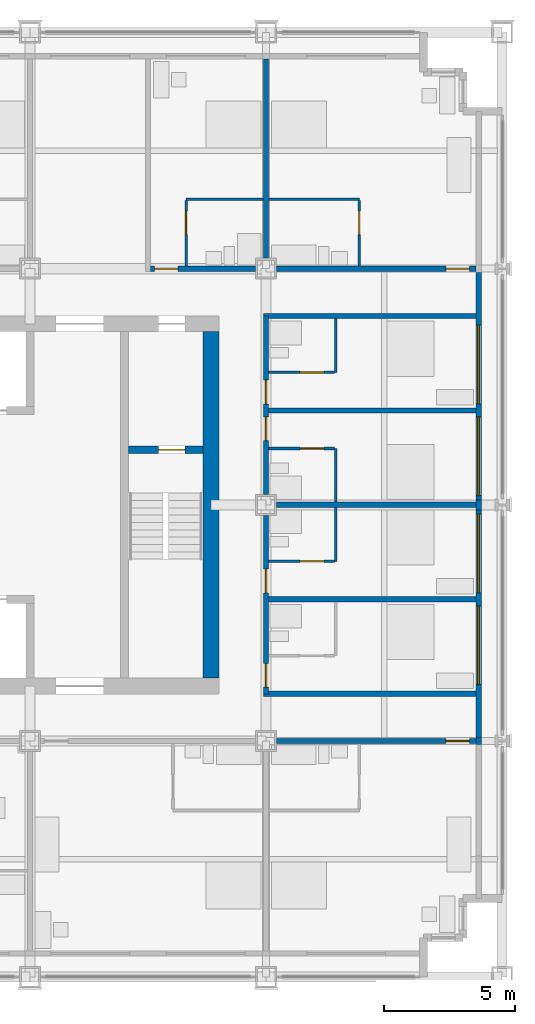
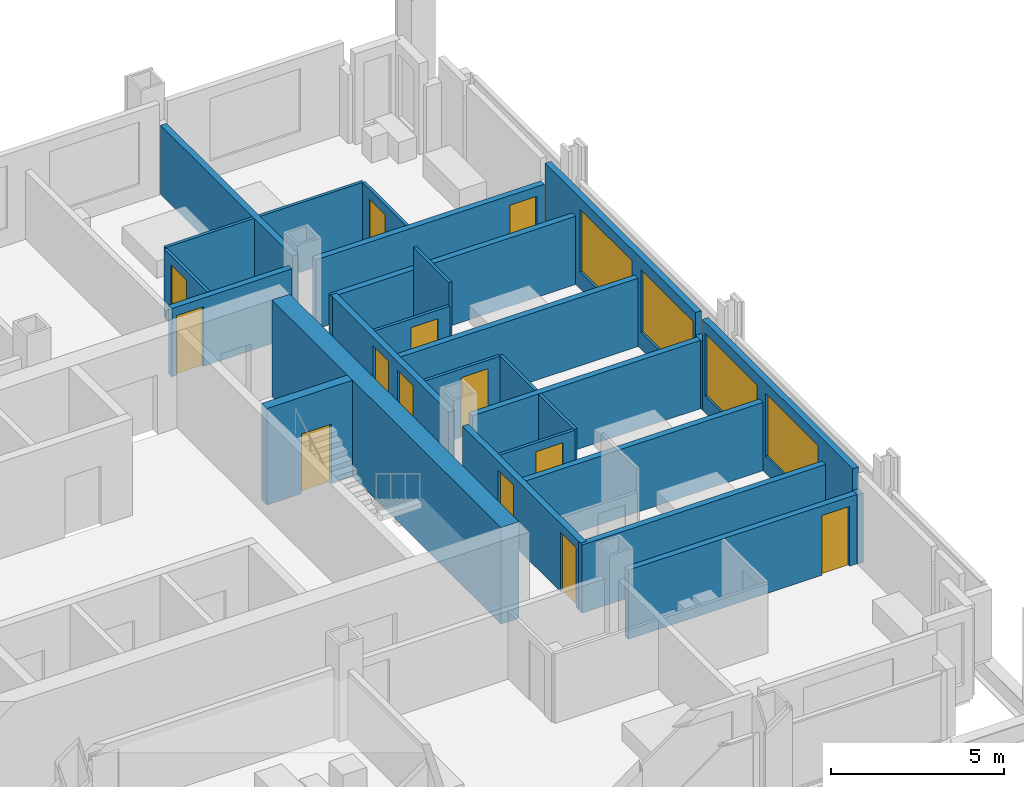
# One storey, part 12 of 16: 27 walls, 13 doors, 4 windows, 17 openings.
"""IFC4 building model written with IfcOpenShell, lengths in metres."""

from ifc_helpers import new_model, si_unit, direction, frame, frame_2d, origin, place, context, subcontext, project, spatial, rectangle, extrude, material, layer, layer_set, type_object, element, fill, save


model = new_model("IFC4")

# Units and contexts
model_context = context("Model", 3, precision=1e-05, world=origin(), true_north=direction((0.0, 1.0)))
body_context = subcontext(model_context, "Body", "Model", "MODEL_VIEW")
ifc_project = project(units=[si_unit("LENGTHUNIT", "METRE"), si_unit("AREAUNIT", "SQUARE_METRE"), si_unit("VOLUMEUNIT", "CUBIC_METRE"), si_unit("PLANEANGLEUNIT", "RADIAN"), si_unit("MASSUNIT", "GRAM", prefix="KILO")], contexts=[model_context])

# Site, building, storey
site_placement = place(None, origin())
site = spatial("IfcSite", under=ifc_project, at=site_placement, CompositionType="ELEMENT")
building_placement = place(site_placement, origin())
building = spatial("IfcBuilding", under=site, at=building_placement, Name="Loomwork Tower", CompositionType="ELEMENT")
storey_placement = place(building_placement, frame((0.0, 0.0, 111.199951171875)))
storey = spatial("IfcBuildingStorey", under=building, at=storey_placement, Name="L29", CompositionType="ELEMENT", Elevation=111.199951171875)

# Wall, opening, door
ifc_material_1 = material(Name="Concrete 14000 psi (97 MPa)", Category="concrete")
ifc_layer_1 = layer(ifc_material_1, 0.300048828125)
ifc_layer_set_1 = layer_set([ifc_layer_1], Name="Core shear wall 300")
wall_type_1 = type_object("IfcWallType", Name="Core shear wall 300", PredefinedType="SHEAR", material=ifc_layer_set_1)
wall_1_placement = place(storey_placement, frame((30.75, 20.10009765625, 0.0), z_axis=(0.0, 0.0, 1.0), x_axis=(1.0, 0.0, 0.0)))
wall_1 = element("IfcWall", 1, at=wall_1_placement, inside=storey, type_object=wall_type_1, Name="Stair B north wall L29", PredefinedType="SHEAR", context=body_context, shape_type="SweptSolid", body=[
    extrude(rectangle(XDim=2.85009765625, YDim=0.300048828125, at=frame_2d((1.425048828125, 0.0))), origin(), (0.0, 0.0, 1.0), 3.400146484375),
])
opening_1_placement = place(wall_1_placement, frame((1.14990234375, 0.0, 0.0)))
opening_1 = element("IfcOpeningElement", 2, at=opening_1_placement, cuts=wall_1, Name="Opening D4", PredefinedType="OPENING", context=body_context, shape_type="SweptSolid", body=[
    extrude(rectangle(XDim=1.0, YDim=2.10009765625, at=frame_2d((0.5, 1.050048828125))), frame((0.0, 0.159912109375, 0.0), z_axis=(0.0, -1.0, 0.0), x_axis=(1.0, 0.0, 0.0)), (0.0, 0.0, 1.0), 0.320068359375),
])
ifc_material_2 = material(Name="Hollow metal door and frame")
door_type_1 = type_object("IfcDoorType", Name="Stair door 1000", OperationType="SINGLE_SWING_RIGHT", PredefinedType="DOOR", material=ifc_material_2)
door_1_placement = place(opening_1_placement, frame((1.0, 0.0, 0.0), z_axis=(0.0, 0.0, 1.0), x_axis=(-1.0, 0.0, 0.0)))
door_1 = element("IfcDoor", 3, at=door_1_placement, inside=storey, type_object=door_type_1, Name="Stair B door", OperationType="SINGLE_SWING_LEFT", OverallHeight=2.10009765625, OverallWidth=1.0, PredefinedType="DOOR", context=body_context, shape_type="SweptSolid", body=[
    extrude(rectangle(XDim=1.0, YDim=2.10009765625, at=frame_2d((0.5, 1.050048828125))), frame((0.0, 0.02490234375, 0.0), z_axis=(0.0, -1.0, 0.0), x_axis=(1.0, 0.0, 0.0)), (0.0, 0.0, 1.0), 0.050048828125),
])
fill(opening_1, door_1)

# Wall
ifc_material_3 = material(Name="Concrete 14000 psi (97 MPa)", Category="concrete")
ifc_layer_2 = layer(ifc_material_3, 0.60009765625)
ifc_layer_set_2 = layer_set([ifc_layer_2], Name="Core shear wall 600")
wall_type_2 = type_object("IfcWallType", Name="Core shear wall 600", PredefinedType="SHEAR", material=ifc_layer_set_2)
wall_2_placement = place(storey_placement, frame((33.89990234375, 11.39990234375, 0.0), z_axis=(0.0, 0.0, 1.0), x_axis=(0.0, 1.0, 0.0)))
element("IfcWall", 4, at=wall_2_placement, inside=storey, type_object=wall_type_2, Name="Core wall east L29", PredefinedType="SHEAR", context=body_context, shape_type="SweptSolid", body=[
    extrude(rectangle(XDim=13.2001953125, YDim=0.60009765625, at=frame_2d((6.60009765625, 0.0))), origin(), (0.0, 0.0, 1.0), 3.400146484375),
])

# Wall, opening, door
ifc_material_4 = material(Name="Gypsum board on steel studs, one-hour", Category="steel")
ifc_layer_3 = layer(ifc_material_4, 0.199951171875)
ifc_layer_set_3 = layer_set([ifc_layer_3], Name="Corridor wall 200")
wall_type_3 = type_object("IfcWallType", Name="Corridor wall 200", PredefinedType="PARTITIONING", material=ifc_layer_set_3)
wall_3_placement = place(storey_placement, frame((36.39990234375, 9.0, 0.0), z_axis=(0.0, 0.0, 1.0), x_axis=(1.0, 0.0, 0.0)))
wall_3 = element("IfcWall", 5, at=wall_3_placement, inside=storey, type_object=wall_type_3, Name="South corridor wall 5", PredefinedType="PARTITIONING", context=body_context, shape_type="SweptSolid", body=[
    extrude(rectangle(XDim=7.60009765625, YDim=0.199951171875, at=frame_2d((3.800048828125, 0.0))), origin(), (0.0, 0.0, 1.0), 2.43798828125),
])
opening_2_placement = place(wall_3_placement, frame((6.449951171875, 0.0, 0.0)))
opening_2 = element("IfcOpeningElement", 6, at=opening_2_placement, cuts=wall_3, Name="Opening D1", PredefinedType="OPENING", context=body_context, shape_type="SweptSolid", body=[
    extrude(rectangle(XDim=0.89990234375, YDim=2.10009765625, at=frame_2d((0.449951171875, 1.050048828125))), frame((0.0, 0.10986328125, 0.0), z_axis=(0.0, -1.0, 0.0), x_axis=(1.0, 0.0, 0.0)), (0.0, 0.0, 1.0), 0.219970703125),
])
ifc_material_5 = material(Name="Hollow metal door and frame")
door_type_2 = type_object("IfcDoorType", Name="Guest room entry door 900", OperationType="SINGLE_SWING_LEFT", PredefinedType="DOOR", material=ifc_material_5)
door_2_placement = place(opening_2_placement, frame((0.89990234375, 0.0, 0.0), z_axis=(0.0, 0.0, 1.0), x_axis=(-1.0, 0.0, 0.0)))
door_2 = element("IfcDoor", 7, at=door_2_placement, inside=storey, type_object=door_type_2, Name="Guest room entry door L29 5", OperationType="SINGLE_SWING_LEFT", OverallHeight=2.10009765625, OverallWidth=0.89990234375, PredefinedType="DOOR", context=body_context, shape_type="SweptSolid", body=[
    extrude(rectangle(XDim=0.89990234375, YDim=2.10009765625, at=frame_2d((0.449951171875, 1.050048828125))), frame((0.0, 0.02490234375, 0.0), z_axis=(0.0, -1.0, 0.0), x_axis=(1.0, 0.0, 0.0)), (0.0, 0.0, 1.0), 0.050048828125),
])
fill(opening_2, door_2)

wall_4_placement = place(storey_placement, frame((31.60009765625, 27.0, 0.0), z_axis=(0.0, 0.0, 1.0), x_axis=(1.0, 0.0, 0.0)))
wall_4 = element("IfcWall", 8, at=wall_4_placement, inside=storey, type_object=wall_type_3, Name="North corridor wall 4", PredefinedType="PARTITIONING", context=body_context, shape_type="SweptSolid", body=[
    extrude(rectangle(XDim=4.0, YDim=0.199951171875, at=frame_2d((2.0, 0.0))), origin(), (0.0, 0.0, 1.0), 2.405029296875),
])
opening_3_placement = place(wall_4_placement, frame((0.14990234375, 0.0, 0.0)))
opening_3 = element("IfcOpeningElement", 9, at=opening_3_placement, cuts=wall_4, Name="Opening D1", PredefinedType="OPENING", context=body_context, shape_type="SweptSolid", body=[
    extrude(rectangle(XDim=0.89990234375, YDim=2.10009765625, at=frame_2d((0.449951171875, 1.050048828125))), frame((0.0, 0.10986328125, 0.0), z_axis=(0.0, -1.0, 0.0), x_axis=(1.0, 0.0, 0.0)), (0.0, 0.0, 1.0), 0.219970703125),
])
door_3_placement = place(opening_3_placement, origin())
door_3 = element("IfcDoor", 10, at=door_3_placement, inside=storey, type_object=door_type_2, Name="Guest room entry door L29 9", OperationType="SINGLE_SWING_LEFT", OverallHeight=2.10009765625, OverallWidth=0.89990234375, PredefinedType="DOOR", context=body_context, shape_type="SweptSolid", body=[
    extrude(rectangle(XDim=0.89990234375, YDim=2.10009765625, at=frame_2d((0.449951171875, 1.050048828125))), frame((0.0, 0.02490234375, 0.0), z_axis=(0.0, -1.0, 0.0), x_axis=(1.0, 0.0, 0.0)), (0.0, 0.0, 1.0), 0.050048828125),
])
fill(opening_3, door_3)

wall_5_placement = place(storey_placement, frame((36.39990234375, 27.0, 0.0), z_axis=(0.0, 0.0, 1.0), x_axis=(1.0, 0.0, 0.0)))
wall_5 = element("IfcWall", 11, at=wall_5_placement, inside=storey, type_object=wall_type_3, Name="North corridor wall 5", PredefinedType="PARTITIONING", context=body_context, shape_type="SweptSolid", body=[
    extrude(rectangle(XDim=7.60009765625, YDim=0.199951171875, at=frame_2d((3.800048828125, 0.0))), origin(), (0.0, 0.0, 1.0), 2.43798828125),
])
opening_4_placement = place(wall_5_placement, frame((6.449951171875, 0.0, 0.0)))
opening_4 = element("IfcOpeningElement", 12, at=opening_4_placement, cuts=wall_5, Name="Opening D1", PredefinedType="OPENING", context=body_context, shape_type="SweptSolid", body=[
    extrude(rectangle(XDim=0.89990234375, YDim=2.10009765625, at=frame_2d((0.449951171875, 1.050048828125))), frame((0.0, 0.10986328125, 0.0), z_axis=(0.0, -1.0, 0.0), x_axis=(1.0, 0.0, 0.0)), (0.0, 0.0, 1.0), 0.219970703125),
])
door_4_placement = place(opening_4_placement, origin())
door_4 = element("IfcDoor", 13, at=door_4_placement, inside=storey, type_object=door_type_2, Name="Guest room entry door L29 10", OperationType="SINGLE_SWING_RIGHT", OverallHeight=2.10009765625, OverallWidth=0.89990234375, PredefinedType="DOOR", context=body_context, shape_type="SweptSolid", body=[
    extrude(rectangle(XDim=0.89990234375, YDim=2.10009765625, at=frame_2d((0.449951171875, 1.050048828125))), frame((0.0, 0.02490234375, 0.0), z_axis=(0.0, -1.0, 0.0), x_axis=(1.0, 0.0, 0.0)), (0.0, 0.0, 1.0), 0.050048828125),
])
fill(opening_4, door_4)

# Wall, openings, doors
wall_6_placement = place(storey_placement, frame((36.0, 10.800048828125, 0.0), z_axis=(0.0, 0.0, 1.0), x_axis=(0.0, 1.0, 0.0)))
wall_6 = element("IfcWall", 14, at=wall_6_placement, inside=storey, type_object=wall_type_3, Name="East corridor wall 1", PredefinedType="PARTITIONING", context=body_context, shape_type="SweptSolid", body=[
    extrude(rectangle(XDim=6.800048828125, YDim=0.199951171875, at=frame_2d((3.39990234375, 0.0))), origin(), (0.0, 0.0, 1.0), 2.405029296875),
])
opening_5_placement = place(wall_6_placement, frame((0.25, 0.0, 0.0)))
opening_5 = element("IfcOpeningElement", 15, at=opening_5_placement, cuts=wall_6, Name="Opening D1", PredefinedType="OPENING", context=body_context, shape_type="SweptSolid", body=[
    extrude(rectangle(XDim=0.89990234375, YDim=2.10009765625, at=frame_2d((0.449951171875, 1.050048828125))), frame((0.0, 0.10986328125, 0.0), z_axis=(0.0, -1.0, 0.0), x_axis=(1.0, 0.0, 0.0)), (0.0, 0.0, 1.0), 0.219970703125),
])
opening_6_placement = place(wall_6_placement, frame((3.85009765625, 0.0, 0.0)))
opening_6 = element("IfcOpeningElement", 16, at=opening_6_placement, cuts=wall_6, Name="Opening D1", PredefinedType="OPENING", context=body_context, shape_type="SweptSolid", body=[
    extrude(rectangle(XDim=0.89990234375, YDim=2.10009765625, at=frame_2d((0.449951171875, 1.050048828125))), frame((0.0, 0.10986328125, 0.0), z_axis=(0.0, -1.0, 0.0), x_axis=(1.0, 0.0, 0.0)), (0.0, 0.0, 1.0), 0.219970703125),
])
door_5_placement = place(opening_5_placement, frame((0.89990234375, 0.0, 0.0), z_axis=(0.0, 0.0, 1.0), x_axis=(-1.0, 0.0, 0.0)))
door_5 = element("IfcDoor", 17, at=door_5_placement, inside=storey, type_object=door_type_2, Name="Guest room entry door L29 15", OperationType="SINGLE_SWING_RIGHT", OverallHeight=2.10009765625, OverallWidth=0.89990234375, PredefinedType="DOOR", context=body_context, shape_type="SweptSolid", body=[
    extrude(rectangle(XDim=0.89990234375, YDim=2.10009765625, at=frame_2d((0.449951171875, 1.050048828125))), frame((0.0, 0.02490234375, 0.0), z_axis=(0.0, -1.0, 0.0), x_axis=(1.0, 0.0, 0.0)), (0.0, 0.0, 1.0), 0.050048828125),
])
fill(opening_5, door_5)
door_6_placement = place(opening_6_placement, frame((0.89990234375, 0.0, 0.0), z_axis=(0.0, 0.0, 1.0), x_axis=(-1.0, 0.0, 0.0)))
door_6 = element("IfcDoor", 18, at=door_6_placement, inside=storey, type_object=door_type_2, Name="Guest room entry door L29 16", OperationType="SINGLE_SWING_RIGHT", OverallHeight=2.10009765625, OverallWidth=0.89990234375, PredefinedType="DOOR", context=body_context, shape_type="SweptSolid", body=[
    extrude(rectangle(XDim=0.89990234375, YDim=2.10009765625, at=frame_2d((0.449951171875, 1.050048828125))), frame((0.0, 0.02490234375, 0.0), z_axis=(0.0, -1.0, 0.0), x_axis=(1.0, 0.0, 0.0)), (0.0, 0.0, 1.0), 0.050048828125),
])
fill(opening_6, door_6)

wall_7_placement = place(storey_placement, frame((36.0, 18.39990234375, 0.0), z_axis=(0.0, 0.0, 1.0), x_axis=(0.0, 1.0, 0.0)))
wall_7 = element("IfcWall", 19, at=wall_7_placement, inside=storey, type_object=wall_type_3, Name="East corridor wall 2", PredefinedType="PARTITIONING", context=body_context, shape_type="SweptSolid", body=[
    extrude(rectangle(XDim=6.800048828125, YDim=0.199951171875, at=frame_2d((3.39990234375, 0.0))), origin(), (0.0, 0.0, 1.0), 2.405029296875),
])
opening_7_placement = place(wall_7_placement, frame((2.050048828125, 0.0, 0.0)))
opening_7 = element("IfcOpeningElement", 20, at=opening_7_placement, cuts=wall_7, Name="Opening D1", PredefinedType="OPENING", context=body_context, shape_type="SweptSolid", body=[
    extrude(rectangle(XDim=0.89990234375, YDim=2.10009765625, at=frame_2d((0.449951171875, 1.050048828125))), frame((0.0, 0.10986328125, 0.0), z_axis=(0.0, -1.0, 0.0), x_axis=(1.0, 0.0, 0.0)), (0.0, 0.0, 1.0), 0.219970703125),
])
opening_8_placement = place(wall_7_placement, frame((3.449951171875, 0.0, 0.0)))
opening_8 = element("IfcOpeningElement", 21, at=opening_8_placement, cuts=wall_7, Name="Opening D1", PredefinedType="OPENING", context=body_context, shape_type="SweptSolid", body=[
    extrude(rectangle(XDim=0.89990234375, YDim=2.10009765625, at=frame_2d((0.449951171875, 1.050048828125))), frame((0.0, 0.10986328125, 0.0), z_axis=(0.0, -1.0, 0.0), x_axis=(1.0, 0.0, 0.0)), (0.0, 0.0, 1.0), 0.219970703125),
])
door_7_placement = place(opening_7_placement, frame((0.89990234375, 0.0, 0.0), z_axis=(0.0, 0.0, 1.0), x_axis=(-1.0, 0.0, 0.0)))
door_7 = element("IfcDoor", 22, at=door_7_placement, inside=storey, type_object=door_type_2, Name="Guest room entry door L29 17", OperationType="SINGLE_SWING_LEFT", OverallHeight=2.10009765625, OverallWidth=0.89990234375, PredefinedType="DOOR", context=body_context, shape_type="SweptSolid", body=[
    extrude(rectangle(XDim=0.89990234375, YDim=2.10009765625, at=frame_2d((0.449951171875, 1.050048828125))), frame((0.0, 0.02490234375, 0.0), z_axis=(0.0, -1.0, 0.0), x_axis=(1.0, 0.0, 0.0)), (0.0, 0.0, 1.0), 0.050048828125),
])
fill(opening_7, door_7)
door_8_placement = place(opening_8_placement, frame((0.89990234375, 0.0, 0.0), z_axis=(0.0, 0.0, 1.0), x_axis=(-1.0, 0.0, 0.0)))
door_8 = element("IfcDoor", 23, at=door_8_placement, inside=storey, type_object=door_type_2, Name="Guest room entry door L29 18", OperationType="SINGLE_SWING_RIGHT", OverallHeight=2.10009765625, OverallWidth=0.89990234375, PredefinedType="DOOR", context=body_context, shape_type="SweptSolid", body=[
    extrude(rectangle(XDim=0.89990234375, YDim=2.10009765625, at=frame_2d((0.449951171875, 1.050048828125))), frame((0.0, 0.02490234375, 0.0), z_axis=(0.0, -1.0, 0.0), x_axis=(1.0, 0.0, 0.0)), (0.0, 0.0, 1.0), 0.050048828125),
])
fill(opening_8, door_8)

# Walls
for number, where, z_axis, x_axis, name in (
    (24, (35.89990234375, 10.800048828125, 0.0), (0.0, 0.0, 1.0), (1.0, 0.0, 0.0), "East band end wall S"),
    (25, (35.89990234375, 25.199951171875, 0.0), (0.0, 0.0, 1.0), (1.0, 0.0, 0.0), "East band end wall N"),
):
    element("IfcWall", number, at=place(storey_placement, frame(where, z_axis=z_axis, x_axis=x_axis)), inside=storey, type_object=wall_type_3, Name=name, PredefinedType="PARTITIONING", context=body_context, shape_type="SweptSolid", body=[
        extrude(rectangle(XDim=8.10009765625, YDim=0.199951171875, at=frame_2d((4.050048828125, 0.0))), origin(), (0.0, 0.0, 1.0), 2.404052734375),
    ])
ifc_material_6 = material(Name="Cement board on steel studs", Category="steel")
ifc_layer_4 = layer(ifc_material_6, 0.10009765625)
ifc_layer_set_4 = layer_set([ifc_layer_4], Name="En-suite partition 100")
wall_type_4 = type_object("IfcWallType", Name="En-suite partition 100", PredefinedType="PARTITIONING", material=ifc_layer_set_4)
wall_8_placement = place(storey_placement, frame((32.949951171875, 29.64990234375, 0.0), z_axis=(0.0, 0.0, 1.0), x_axis=(1.0, 0.0, 0.0)))
element("IfcWall", 26, at=wall_8_placement, inside=storey, type_object=wall_type_4, Name="En-suite wall L29 room 9", PredefinedType="PARTITIONING", context=body_context, shape_type="SweptSolid", body=[
    extrude(rectangle(XDim=2.949951171875, YDim=0.10009765625, at=frame_2d((1.47509765625, 0.0))), origin(), (0.0, 0.0, 1.0), 2.43798828125),
])

# Wall, opening, door
wall_9_placement = place(storey_placement, frame((32.949951171875, 27.10009765625, 0.0), z_axis=(0.0, 0.0, 1.0), x_axis=(0.0, 1.0, 0.0)))
wall_9 = element("IfcWall", 27, at=wall_9_placement, inside=storey, type_object=wall_type_4, Name="En-suite side wall L29 room 9", PredefinedType="PARTITIONING", context=body_context, shape_type="SweptSolid", body=[
    extrude(rectangle(XDim=2.5, YDim=0.10009765625, at=frame_2d((1.25, 0.0))), origin(), (0.0, 0.0, 1.0), 2.404052734375),
])
opening_9_placement = place(wall_9_placement, frame((1.199951171875, 0.0, 0.0)))
opening_9 = element("IfcOpeningElement", 28, at=opening_9_placement, cuts=wall_9, Name="Opening D2", PredefinedType="OPENING", context=body_context, shape_type="SweptSolid", body=[
    extrude(rectangle(XDim=0.89990234375, YDim=2.10009765625, at=frame_2d((0.449951171875, 1.050048828125))), frame((0.0, 0.06005859375, 0.0), z_axis=(0.0, -1.0, 0.0), x_axis=(1.0, 0.0, 0.0)), (0.0, 0.0, 1.0), 0.1201171875),
])
ifc_material_7 = material(Name="Hollow metal door and frame")
door_type_3 = type_object("IfcDoorType", Name="En-suite door 900", OperationType="SINGLE_SWING_LEFT", PredefinedType="DOOR", material=ifc_material_7)
door_9_placement = place(opening_9_placement, frame((0.89990234375, 0.0, 0.0), z_axis=(0.0, 0.0, 1.0), x_axis=(-1.0, 0.0, 0.0)))
door_9 = element("IfcDoor", 29, at=door_9_placement, inside=storey, type_object=door_type_3, Name="En-suite door room 9", OperationType="SINGLE_SWING_LEFT", OverallHeight=2.10009765625, OverallWidth=0.89990234375, PredefinedType="DOOR", context=body_context, shape_type="SweptSolid", body=[
    extrude(rectangle(XDim=0.89990234375, YDim=2.10009765625, at=frame_2d((0.449951171875, 1.050048828125))), frame((0.0, 0.02490234375, 0.0), z_axis=(0.0, -1.0, 0.0), x_axis=(1.0, 0.0, 0.0)), (0.0, 0.0, 1.0), 0.050048828125),
])
fill(opening_9, door_9)

# Wall
wall_10_placement = place(storey_placement, frame((36.10009765625, 29.64990234375, 0.0), z_axis=(0.0, 0.0, 1.0), x_axis=(1.0, 0.0, 0.0)))
element("IfcWall", 30, at=wall_10_placement, inside=storey, type_object=wall_type_4, Name="En-suite wall L29 room 10", PredefinedType="PARTITIONING", context=body_context, shape_type="SweptSolid", body=[
    extrude(rectangle(XDim=3.449951171875, YDim=0.10009765625, at=frame_2d((1.72509765625, 0.0))), origin(), (0.0, 0.0, 1.0), 2.43798828125),
])

# Wall, opening, door
wall_11_placement = place(storey_placement, frame((39.550048828125, 27.10009765625, 0.0), z_axis=(0.0, 0.0, 1.0), x_axis=(0.0, 1.0, 0.0)))
wall_11 = element("IfcWall", 31, at=wall_11_placement, inside=storey, type_object=wall_type_4, Name="En-suite side wall L29 room 10", PredefinedType="PARTITIONING", context=body_context, shape_type="SweptSolid", body=[
    extrude(rectangle(XDim=2.5, YDim=0.10009765625, at=frame_2d((1.25, 0.0))), origin(), (0.0, 0.0, 1.0), 2.43798828125),
])
opening_10_placement = place(wall_11_placement, frame((1.199951171875, 0.0, 0.0)))
opening_10 = element("IfcOpeningElement", 32, at=opening_10_placement, cuts=wall_11, Name="Opening D2", PredefinedType="OPENING", context=body_context, shape_type="SweptSolid", body=[
    extrude(rectangle(XDim=0.89990234375, YDim=2.10009765625, at=frame_2d((0.449951171875, 1.050048828125))), frame((0.0, 0.06005859375, 0.0), z_axis=(0.0, -1.0, 0.0), x_axis=(1.0, 0.0, 0.0)), (0.0, 0.0, 1.0), 0.1201171875),
])
door_10_placement = place(opening_10_placement, origin())
door_10 = element("IfcDoor", 33, at=door_10_placement, inside=storey, type_object=door_type_3, Name="En-suite door room 10", OperationType="SINGLE_SWING_RIGHT", OverallHeight=2.10009765625, OverallWidth=0.89990234375, PredefinedType="DOOR", context=body_context, shape_type="SweptSolid", body=[
    extrude(rectangle(XDim=0.89990234375, YDim=2.10009765625, at=frame_2d((0.449951171875, 1.050048828125))), frame((0.0, 0.02490234375, 0.0), z_axis=(0.0, -1.0, 0.0), x_axis=(1.0, 0.0, 0.0)), (0.0, 0.0, 1.0), 0.050048828125),
])
fill(opening_10, door_10)

# Wall
wall_12_placement = place(storey_placement, frame((38.64990234375, 15.85009765625, 0.0), z_axis=(0.0, 0.0, 1.0), x_axis=(0.0, 1.0, 0.0)))
element("IfcWall", 34, at=wall_12_placement, inside=storey, type_object=wall_type_4, Name="En-suite wall L29 room 16", PredefinedType="PARTITIONING", context=body_context, shape_type="SweptSolid", body=[
    extrude(rectangle(XDim=2.0498046875, YDim=0.10009765625, at=frame_2d((1.02490234375, 0.0))), origin(), (0.0, 0.0, 1.0), 2.404052734375),
])

# Wall, opening, door
wall_13_placement = place(storey_placement, frame((36.10009765625, 15.85009765625, 0.0), z_axis=(0.0, 0.0, 1.0), x_axis=(1.0, 0.0, 0.0)))
wall_13 = element("IfcWall", 35, at=wall_13_placement, inside=storey, type_object=wall_type_4, Name="En-suite side wall L29 room 16", PredefinedType="PARTITIONING", context=body_context, shape_type="SweptSolid", body=[
    extrude(rectangle(XDim=2.5, YDim=0.10009765625, at=frame_2d((1.25, 0.0))), origin(), (0.0, 0.0, 1.0), 2.404052734375),
])
opening_11_placement = place(wall_13_placement, frame((1.199951171875, 0.0, 0.0)))
opening_11 = element("IfcOpeningElement", 36, at=opening_11_placement, cuts=wall_13, Name="Opening D2", PredefinedType="OPENING", context=body_context, shape_type="SweptSolid", body=[
    extrude(rectangle(XDim=0.89990234375, YDim=2.10009765625, at=frame_2d((0.449951171875, 1.050048828125))), frame((0.0, 0.06005859375, 0.0), z_axis=(0.0, -1.0, 0.0), x_axis=(1.0, 0.0, 0.0)), (0.0, 0.0, 1.0), 0.1201171875),
])
door_11_placement = place(opening_11_placement, origin())
door_11 = element("IfcDoor", 37, at=door_11_placement, inside=storey, type_object=door_type_3, Name="En-suite door room 16", OperationType="SINGLE_SWING_RIGHT", OverallHeight=2.10009765625, OverallWidth=0.89990234375, PredefinedType="DOOR", context=body_context, shape_type="SweptSolid", body=[
    extrude(rectangle(XDim=0.89990234375, YDim=2.10009765625, at=frame_2d((0.449951171875, 1.050048828125))), frame((0.0, 0.02490234375, 0.0), z_axis=(0.0, -1.0, 0.0), x_axis=(1.0, 0.0, 0.0)), (0.0, 0.0, 1.0), 0.050048828125),
])
fill(opening_11, door_11)

# Wall
wall_14_placement = place(storey_placement, frame((38.64990234375, 18.10009765625, 0.0), z_axis=(0.0, 0.0, 1.0), x_axis=(0.0, 1.0, 0.0)))
element("IfcWall", 38, at=wall_14_placement, inside=storey, type_object=wall_type_4, Name="En-suite wall L29 room 17", PredefinedType="PARTITIONING", context=body_context, shape_type="SweptSolid", body=[
    extrude(rectangle(XDim=2.0498046875, YDim=0.10009765625, at=frame_2d((1.02490234375, 0.0))), origin(), (0.0, 0.0, 1.0), 2.404052734375),
])

# Wall, opening, door
wall_15_placement = place(storey_placement, frame((36.10009765625, 20.14990234375, 0.0), z_axis=(0.0, 0.0, 1.0), x_axis=(1.0, 0.0, 0.0)))
wall_15 = element("IfcWall", 39, at=wall_15_placement, inside=storey, type_object=wall_type_4, Name="En-suite side wall L29 room 17", PredefinedType="PARTITIONING", context=body_context, shape_type="SweptSolid", body=[
    extrude(rectangle(XDim=2.5, YDim=0.10009765625, at=frame_2d((1.25, 0.0))), origin(), (0.0, 0.0, 1.0), 2.404052734375),
])
opening_12_placement = place(wall_15_placement, frame((1.199951171875, 0.0, 0.0)))
opening_12 = element("IfcOpeningElement", 40, at=opening_12_placement, cuts=wall_15, Name="Opening D2", PredefinedType="OPENING", context=body_context, shape_type="SweptSolid", body=[
    extrude(rectangle(XDim=0.89990234375, YDim=2.10009765625, at=frame_2d((0.449951171875, 1.050048828125))), frame((0.0, 0.06005859375, 0.0), z_axis=(0.0, -1.0, 0.0), x_axis=(1.0, 0.0, 0.0)), (0.0, 0.0, 1.0), 0.1201171875),
])
door_12_placement = place(opening_12_placement, frame((0.89990234375, 0.0, 0.0), z_axis=(0.0, 0.0, 1.0), x_axis=(-1.0, 0.0, 0.0)))
door_12 = element("IfcDoor", 41, at=door_12_placement, inside=storey, type_object=door_type_3, Name="En-suite door room 17", OperationType="SINGLE_SWING_LEFT", OverallHeight=2.10009765625, OverallWidth=0.89990234375, PredefinedType="DOOR", context=body_context, shape_type="SweptSolid", body=[
    extrude(rectangle(XDim=0.89990234375, YDim=2.10009765625, at=frame_2d((0.449951171875, 1.050048828125))), frame((0.0, 0.02490234375, 0.0), z_axis=(0.0, -1.0, 0.0), x_axis=(1.0, 0.0, 0.0)), (0.0, 0.0, 1.0), 0.050048828125),
])
fill(opening_12, door_12)

# Wall
wall_16_placement = place(storey_placement, frame((38.64990234375, 23.050048828125, 0.0), z_axis=(0.0, 0.0, 1.0), x_axis=(0.0, 1.0, 0.0)))
element("IfcWall", 42, at=wall_16_placement, inside=storey, type_object=wall_type_4, Name="En-suite wall L29 room 18", PredefinedType="PARTITIONING", context=body_context, shape_type="SweptSolid", body=[
    extrude(rectangle(XDim=2.050048828125, YDim=0.10009765625, at=frame_2d((1.02490234375, 0.0))), origin(), (0.0, 0.0, 1.0), 3.199951171875),
])

# Wall, opening, door
wall_17_placement = place(storey_placement, frame((36.10009765625, 23.050048828125, 0.0), z_axis=(0.0, 0.0, 1.0), x_axis=(1.0, 0.0, 0.0)))
wall_17 = element("IfcWall", 43, at=wall_17_placement, inside=storey, type_object=wall_type_4, Name="En-suite side wall L29 room 18", PredefinedType="PARTITIONING", context=body_context, shape_type="SweptSolid", body=[
    extrude(rectangle(XDim=2.5, YDim=0.10009765625, at=frame_2d((1.25, 0.0))), origin(), (0.0, 0.0, 1.0), 2.404052734375),
])
opening_13_placement = place(wall_17_placement, frame((1.199951171875, 0.0, 0.0)))
opening_13 = element("IfcOpeningElement", 44, at=opening_13_placement, cuts=wall_17, Name="Opening D3", PredefinedType="OPENING", context=body_context, shape_type="SweptSolid", body=[
    extrude(rectangle(XDim=0.89990234375, YDim=2.10009765625, at=frame_2d((0.449951171875, 1.050048828125))), frame((0.0, 0.06005859375, 0.0), z_axis=(0.0, -1.0, 0.0), x_axis=(1.0, 0.0, 0.0)), (0.0, 0.0, 1.0), 0.1201171875),
])
ifc_material_8 = material(Name="Hollow metal door and frame")
door_type_4 = type_object("IfcDoorType", Name="Accessible en-suite door 900", OperationType="SLIDING_TO_LEFT", PredefinedType="DOOR", material=ifc_material_8)
door_13_placement = place(opening_13_placement, origin())
door_13 = element("IfcDoor", 45, at=door_13_placement, inside=storey, type_object=door_type_4, Name="Accessible en-suite door room 18", OperationType="SLIDING_TO_LEFT", OverallHeight=2.10009765625, OverallWidth=0.89990234375, PredefinedType="DOOR", context=body_context, shape_type="SweptSolid", body=[
    extrude(rectangle(XDim=0.89990234375, YDim=2.10009765625, at=frame_2d((0.449951171875, 1.050048828125))), frame((0.0, 0.02490234375, 0.0), z_axis=(0.0, -1.0, 0.0), x_axis=(1.0, 0.0, 0.0)), (0.0, 0.0, 1.0), 0.050048828125),
])
fill(opening_13, door_13)

# Walls
ifc_material_9 = material(Name="Gypsum board on steel studs, acoustic", Category="steel")
ifc_layer_5 = layer(ifc_material_9, 0.199951171875)
ifc_layer_set_5 = layer_set([ifc_layer_5], Name="Guest room party wall 200")
wall_type_5 = type_object("IfcWallType", Name="Guest room party wall 200", PredefinedType="PARTITIONING", material=ifc_layer_set_5)
wall_18_placement = place(storey_placement, frame((36.0, 27.39990234375, 0.0), z_axis=(0.0, 0.0, 1.0), x_axis=(0.0, 1.0, 0.0)))
element("IfcWall", 46, at=wall_18_placement, inside=storey, type_object=wall_type_5, Name="Guest room party wall N 36", PredefinedType="PARTITIONING", context=body_context, shape_type="SweptSolid", body=[
    extrude(rectangle(XDim=7.60009765625, YDim=0.199951171875, at=frame_2d((3.800048828125, 0.0))), origin(), (0.0, 0.0, 1.0), 2.43798828125),
])
wall_19_placement = place(storey_placement, frame((36.10009765625, 14.39990234375, 0.0), z_axis=(0.0, 0.0, 1.0), x_axis=(1.0, 0.0, 0.0)))
element("IfcWall", 47, at=wall_19_placement, inside=storey, type_object=wall_type_5, Name="Guest room party wall E 14.4", PredefinedType="PARTITIONING", context=body_context, shape_type="SweptSolid", body=[
    extrude(rectangle(XDim=7.89990234375, YDim=0.199951171875, at=frame_2d((3.949951171875, 0.0))), origin(), (0.0, 0.0, 1.0), 2.404052734375),
])
wall_20_placement = place(storey_placement, frame((36.39990234375, 18.0, 0.0), z_axis=(0.0, 0.0, 1.0), x_axis=(1.0, 0.0, 0.0)))
element("IfcWall", 48, at=wall_20_placement, inside=storey, type_object=wall_type_5, Name="Guest room party wall E 18", PredefinedType="PARTITIONING", context=body_context, shape_type="SweptSolid", body=[
    extrude(rectangle(XDim=7.60009765625, YDim=0.199951171875, at=frame_2d((3.800048828125, 0.0))), origin(), (0.0, 0.0, 1.0), 2.405029296875),
])
wall_21_placement = place(storey_placement, frame((36.10009765625, 21.60009765625, 0.0), z_axis=(0.0, 0.0, 1.0), x_axis=(1.0, 0.0, 0.0)))
element("IfcWall", 49, at=wall_21_placement, inside=storey, type_object=wall_type_5, Name="Guest room party wall E 21.6", PredefinedType="PARTITIONING", context=body_context, shape_type="SweptSolid", body=[
    extrude(rectangle(XDim=7.89990234375, YDim=0.199951171875, at=frame_2d((3.949951171875, 0.0))), origin(), (0.0, 0.0, 1.0), 2.404052734375),
])
ifc_material_10 = material(Name="Insulated steel stud wall with gypsum lining", Category="steel")
ifc_layer_6 = layer(ifc_material_10, 0.199951171875)
ifc_layer_set_6 = layer_set([ifc_layer_6], Name="Inner skin wall 200")
wall_type_6 = type_object("IfcWallType", Name="Inner skin wall 200", PredefinedType="SOLIDWALL", material=ifc_layer_set_6)
wall_22_placement = place(storey_placement, frame((44.10009765625, 8.86474609375, 0.0), z_axis=(0.0, 0.0, 1.0), x_axis=(0.0, 1.0, 0.0)))
element("IfcWall", 50, at=wall_22_placement, inside=storey, type_object=wall_type_6, Name="Inner skin wall E bay 4", PredefinedType="SOLIDWALL", context=body_context, shape_type="SweptSolid", body=[
    extrude(rectangle(XDim=0.2705078125, YDim=0.199951171875, at=frame_2d((0.13525390625, 0.0))), origin(), (0.0, 0.0, 1.0), 2.43798828125),
])

# Wall, openings, windows
wall_23_placement = place(storey_placement, frame((44.10009765625, 9.13525390625, 0.0), z_axis=(0.0, 0.0, 1.0), x_axis=(0.0, 1.0, 0.0)))
wall_23 = element("IfcWall", 51, at=wall_23_placement, inside=storey, type_object=wall_type_6, Name="Inner skin wall E bay 5", PredefinedType="SOLIDWALL", context=body_context, shape_type="SweptSolid", body=[
    extrude(rectangle(XDim=8.6708984375, YDim=0.199951171875, at=frame_2d((4.33544921875, 0.0))), origin(), (0.0, 0.0, 1.0), 3.199951171875),
])
opening_14_placement = place(wall_23_placement, frame((2.0146484375, 0.0, 0.60009765625)))
opening_14 = element("IfcOpeningElement", 52, at=opening_14_placement, cuts=wall_23, Name="Opening CH1", PredefinedType="OPENING", context=body_context, shape_type="SweptSolid", body=[
    extrude(rectangle(XDim=3.0, YDim=2.199951171875, at=frame_2d((1.5, 1.10009765625))), frame((0.0, 0.10986328125, 0.0), z_axis=(0.0, -1.0, 0.0), x_axis=(1.0, 0.0, 0.0)), (0.0, 0.0, 1.0), 0.219970703125),
])
opening_15_placement = place(wall_23_placement, frame((5.5146484375, 0.0, 0.60009765625)))
opening_15 = element("IfcOpeningElement", 53, at=opening_15_placement, cuts=wall_23, Name="Opening CH1", PredefinedType="OPENING", context=body_context, shape_type="SweptSolid", body=[
    extrude(rectangle(XDim=3.0, YDim=2.199951171875, at=frame_2d((1.5, 1.10009765625))), frame((0.0, 0.10986328125, 0.0), z_axis=(0.0, -1.0, 0.0), x_axis=(1.0, 0.0, 0.0)), (0.0, 0.0, 1.0), 0.219970703125),
])
ifc_material_11 = material(Name="Aluminium frame with clear insulated glass", Category="aluminium")
window_type = type_object("IfcWindowType", Name="Chicago window 3000", PartitioningType="TRIPLE_PANEL_VERTICAL", PredefinedType="WINDOW", material=ifc_material_11)
window_1_placement = place(opening_14_placement, origin())
window_1 = element("IfcWindow", 54, at=window_1_placement, inside=storey, type_object=window_type, Name="Chicago window L29 bay 13", OverallHeight=2.199951171875, OverallWidth=3.0, PartitioningType="TRIPLE_PANEL_VERTICAL", PredefinedType="WINDOW", context=body_context, shape_type="SweptSolid", body=[
    extrude(rectangle(XDim=3.0, YDim=2.199951171875, at=frame_2d((1.5, 1.10009765625))), frame((0.0, 0.030029296875, 0.0), z_axis=(0.0, -1.0, 0.0), x_axis=(1.0, 0.0, 0.0)), (0.0, 0.0, 1.0), 0.06005859375),
])
fill(opening_14, window_1)
window_2_placement = place(opening_15_placement, origin())
window_2 = element("IfcWindow", 55, at=window_2_placement, inside=storey, type_object=window_type, Name="Chicago window L29 bay 13", OverallHeight=2.199951171875, OverallWidth=3.0, PartitioningType="TRIPLE_PANEL_VERTICAL", PredefinedType="WINDOW", context=body_context, shape_type="SweptSolid", body=[
    extrude(rectangle(XDim=3.0, YDim=2.199951171875, at=frame_2d((1.5, 1.10009765625))), frame((0.0, 0.030029296875, 0.0), z_axis=(0.0, -1.0, 0.0), x_axis=(1.0, 0.0, 0.0)), (0.0, 0.0, 1.0), 0.06005859375),
])
fill(opening_15, window_2)

# Wall
wall_24_placement = place(storey_placement, frame((44.10009765625, 17.80615234375, 0.0), z_axis=(0.0, 0.0, 1.0), x_axis=(0.0, 1.0, 0.0)))
element("IfcWall", 56, at=wall_24_placement, inside=storey, type_object=wall_type_6, Name="Inner skin wall E bay 6", PredefinedType="SOLIDWALL", context=body_context, shape_type="SweptSolid", body=[
    extrude(rectangle(XDim=0.3876953125, YDim=0.199951171875, at=frame_2d((0.19384765625, 0.0))), origin(), (0.0, 0.0, 1.0), 2.404052734375),
])

# Wall, openings, windows
wall_25_placement = place(storey_placement, frame((44.10009765625, 18.19384765625, 0.0), z_axis=(0.0, 0.0, 1.0), x_axis=(0.0, 1.0, 0.0)))
wall_25 = element("IfcWall", 57, at=wall_25_placement, inside=storey, type_object=wall_type_6, Name="Inner skin wall E bay 7", PredefinedType="SOLIDWALL", context=body_context, shape_type="SweptSolid", body=[
    extrude(rectangle(XDim=8.6708984375, YDim=0.199951171875, at=frame_2d((4.33544921875, 0.0))), origin(), (0.0, 0.0, 1.0), 3.199951171875),
])
opening_16_placement = place(wall_25_placement, frame((0.15625, 0.0, 0.60009765625)))
opening_16 = element("IfcOpeningElement", 58, at=opening_16_placement, cuts=wall_25, Name="Opening CH1", PredefinedType="OPENING", context=body_context, shape_type="SweptSolid", body=[
    extrude(rectangle(XDim=3.0, YDim=2.199951171875, at=frame_2d((1.5, 1.10009765625))), frame((0.0, 0.10986328125, 0.0), z_axis=(0.0, -1.0, 0.0), x_axis=(1.0, 0.0, 0.0)), (0.0, 0.0, 1.0), 0.219970703125),
])
opening_17_placement = place(wall_25_placement, frame((3.65625, 0.0, 0.60009765625)))
opening_17 = element("IfcOpeningElement", 59, at=opening_17_placement, cuts=wall_25, Name="Opening CH1", PredefinedType="OPENING", context=body_context, shape_type="SweptSolid", body=[
    extrude(rectangle(XDim=3.0, YDim=2.199951171875, at=frame_2d((1.5, 1.10009765625))), frame((0.0, 0.10986328125, 0.0), z_axis=(0.0, -1.0, 0.0), x_axis=(1.0, 0.0, 0.0)), (0.0, 0.0, 1.0), 0.219970703125),
])
window_3_placement = place(opening_16_placement, origin())
window_3 = element("IfcWindow", 60, at=window_3_placement, inside=storey, type_object=window_type, Name="Chicago window L29 bay 14", OverallHeight=2.199951171875, OverallWidth=3.0, PartitioningType="TRIPLE_PANEL_VERTICAL", PredefinedType="WINDOW", context=body_context, shape_type="SweptSolid", body=[
    extrude(rectangle(XDim=3.0, YDim=2.199951171875, at=frame_2d((1.5, 1.10009765625))), frame((0.0, 0.030029296875, 0.0), z_axis=(0.0, -1.0, 0.0), x_axis=(1.0, 0.0, 0.0)), (0.0, 0.0, 1.0), 0.06005859375),
])
fill(opening_16, window_3)
window_4_placement = place(opening_17_placement, origin())
window_4 = element("IfcWindow", 61, at=window_4_placement, inside=storey, type_object=window_type, Name="Chicago window L29 bay 14", OverallHeight=2.199951171875, OverallWidth=3.0, PartitioningType="TRIPLE_PANEL_VERTICAL", PredefinedType="WINDOW", context=body_context, shape_type="SweptSolid", body=[
    extrude(rectangle(XDim=3.0, YDim=2.199951171875, at=frame_2d((1.5, 1.10009765625))), frame((0.0, 0.030029296875, 0.0), z_axis=(0.0, -1.0, 0.0), x_axis=(1.0, 0.0, 0.0)), (0.0, 0.0, 1.0), 0.06005859375),
])
fill(opening_17, window_4)

save(model, "model.ifc")
